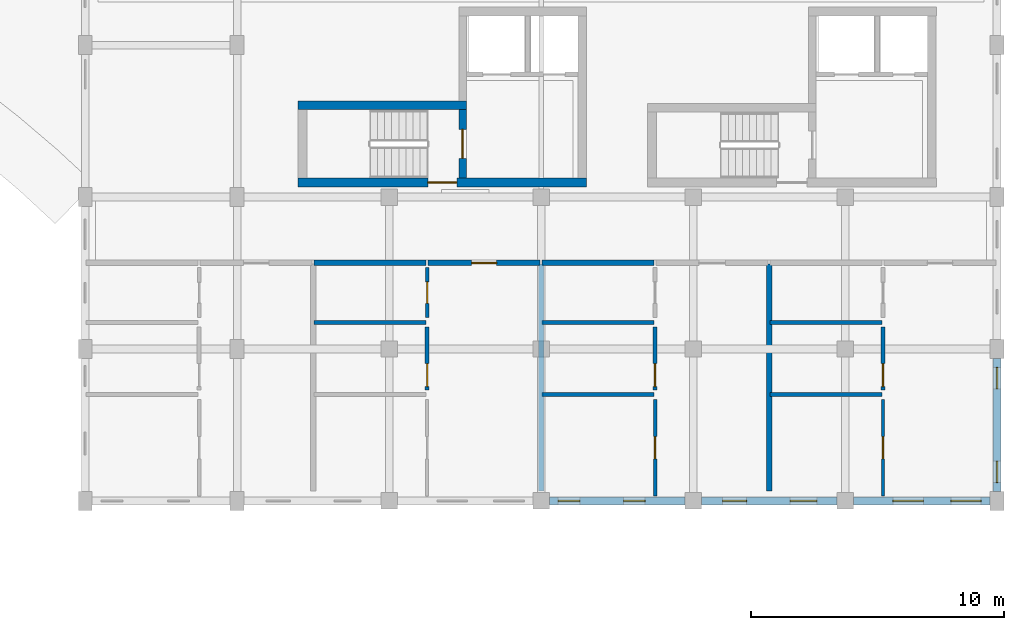
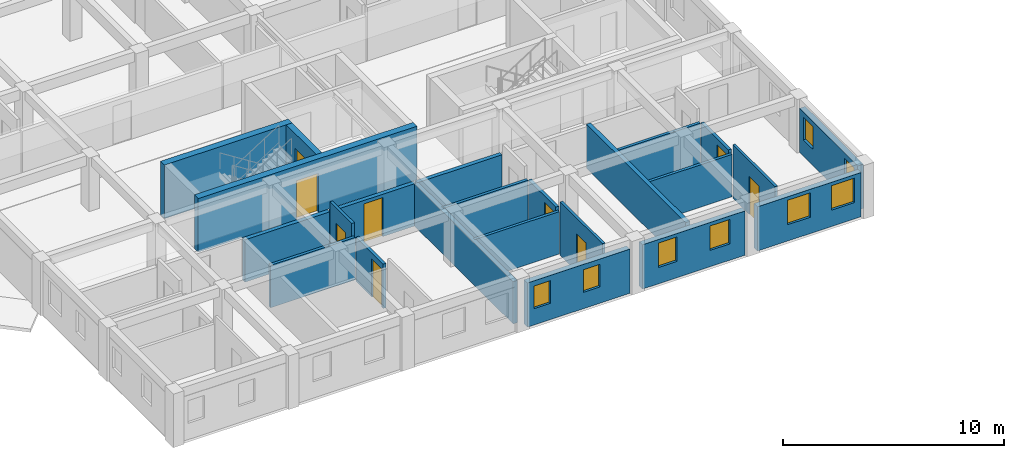
# One storey, part 98 of 123: 23 walls, 9 doors, 8 windows, 17 openings.
"""IFC4 building model written with IfcOpenShell, lengths in metres."""

from ifc_helpers import new_model, si_unit, direction, frame, frame_2d, origin, place, context, subcontext, project, spatial, rectangle, extrude, material, layer, layer_set, type_object, element, fill, save


model = new_model("IFC4")

# Units and contexts
model_context = context("Model", 3, precision=1e-05, world=origin(), true_north=direction((0.0, 1.0)))
body_context = subcontext(model_context, "Body", "Model", "MODEL_VIEW")
ifc_project = project(units=[si_unit("LENGTHUNIT", "METRE"), si_unit("AREAUNIT", "SQUARE_METRE"), si_unit("VOLUMEUNIT", "CUBIC_METRE"), si_unit("PLANEANGLEUNIT", "RADIAN"), si_unit("MASSUNIT", "GRAM", prefix="KILO"), si_unit("POWERUNIT", "WATT"), si_unit("THERMODYNAMICTEMPERATUREUNIT", "KELVIN")], contexts=[model_context])

# Site, building, storey
site_placement = place(None, origin())
site = spatial("IfcSite", under=ifc_project, at=site_placement, CompositionType="ELEMENT")
building_placement = place(site_placement, origin())
building = spatial("IfcBuilding", under=site, at=building_placement, Name="Ruvembo Vaulted Housing Court", CompositionType="ELEMENT")
storey_placement = place(building_placement, frame((0.0, 0.0, 7.699951171875)))
storey = spatial("IfcBuildingStorey", under=building, at=storey_placement, Name="L02", CompositionType="ELEMENT", Elevation=7.699951171875)

# Wall, opening, door
ifc_material_1 = material(Name="Concrete C35/45", Category="concrete")
ifc_layer_1 = layer(ifc_material_1, 0.300048828125, Name="Concrete C35/45")
ifc_layer_set_1 = layer_set([ifc_layer_1], Name="Concrete C35/45")
wall_type_1 = type_object("IfcWallType", Name="WL-CORE-300", PredefinedType="SHEAR", material=ifc_layer_set_1)
wall_1_placement = place(storey_placement, frame((164.89990234375, 84.75, 0.0), z_axis=(0.0, 0.0, 1.0), x_axis=(0.0, 1.0, 0.0)))
wall_1 = element("IfcWall", 1, at=wall_1_placement, inside=storey, type_object=wall_type_1, Name="Core D1 L02 Stair-Lobby Shear Wall", PredefinedType="SHEAR", context=body_context, shape_type="SweptSolid", body=[
    extrude(rectangle(XDim=2.699951171875, YDim=0.300048828125, at=frame_2d((1.35009765625, 0.0))), origin(), (0.0, 0.0, 1.0), 2.955078125),
])
opening_1_placement = place(wall_1_placement, frame((0.77490234375, 0.0, 0.0)))
opening_1 = element("IfcOpeningElement", 2, at=opening_1_placement, cuts=wall_1, Name="Opening SD1", PredefinedType="OPENING", context=body_context, shape_type="SweptSolid", body=[
    extrude(rectangle(XDim=1.14990234375, YDim=2.14990234375, at=frame_2d((0.574951171875, 1.074951171875))), frame((0.0, 0.159912109375, 0.0), z_axis=(0.0, -1.0, 0.0), x_axis=(1.0, 0.0, 0.0)), (0.0, 0.0, 1.0), 0.320068359375),
])
ifc_material_2 = material(Name="Galvanised Painted Steel", Category="steel")
door_type_1 = type_object("IfcDoorType", Name="DR-STAIR-1150x2150", OperationType="NOTDEFINED", PredefinedType="DOOR", material=ifc_material_2)
door_1_placement = place(opening_1_placement, origin())
door_1 = element("IfcDoor", 3, at=door_1_placement, inside=storey, type_object=door_type_1, Name="Stair ST-D1 L02 Fire Door", OperationType="SINGLE_SWING_LEFT", OverallHeight=2.14990234375, OverallWidth=1.14990234375, PredefinedType="DOOR", context=body_context, shape_type="SweptSolid", body=[
    extrude(rectangle(XDim=1.14990234375, YDim=2.14990234375, at=frame_2d((0.574951171875, 1.074951171875))), frame((0.0, 0.02490234375, 0.0), z_axis=(0.0, -1.0, 0.0), x_axis=(1.0, 0.0, 0.0)), (0.0, 0.0, 1.0), 0.050048828125),
])
fill(opening_1, door_1)

ifc_layer_2 = layer(ifc_material_1, 0.35009765625, Name="Concrete C35/45")
ifc_layer_set_2 = layer_set([ifc_layer_2], Name="Concrete C35/45")
wall_type_2 = type_object("IfcWallType", Name="WL-CORE-350", PredefinedType="SHEAR", material=ifc_layer_set_2)
wall_2_placement = place(storey_placement, frame((158.39990234375, 84.574951171875, 0.0), z_axis=(0.0, 0.0, 1.0), x_axis=(1.0, 0.0, 0.0)))
wall_2 = element("IfcWall", 4, at=wall_2_placement, inside=storey, type_object=wall_type_2, Name="Core D1 L02 South Shear Wall", PredefinedType="SHEAR", context=body_context, shape_type="SweptSolid", body=[
    extrude(rectangle(XDim=11.400146484375, YDim=0.35009765625, at=frame_2d((5.7001953125, 0.0))), origin(), (0.0, 0.0, 1.0), 2.955078125),
])
opening_2_placement = place(wall_2_placement, frame((5.125, 0.0, 0.0)))
opening_2 = element("IfcOpeningElement", 5, at=opening_2_placement, cuts=wall_2, Name="Opening LD0", PredefinedType="OPENING", context=body_context, shape_type="SweptSolid", body=[
    extrude(rectangle(XDim=1.14990234375, YDim=2.14990234375, at=frame_2d((0.574951171875, 1.074951171875))), frame((0.0, 0.18505859375, 0.0), z_axis=(0.0, -1.0, 0.0), x_axis=(1.0, 0.0, 0.0)), (0.0, 0.0, 1.0), 0.3701171875),
])
door_type_2 = type_object("IfcDoorType", Name="DR-LOB-1150x2150", OperationType="NOTDEFINED", PredefinedType="DOOR", material=ifc_material_2)
door_2_placement = place(opening_2_placement, origin())
door_2 = element("IfcDoor", 6, at=door_2_placement, inside=storey, type_object=door_type_2, Name="Core D1 L02 Lobby Fire Door", OperationType="SINGLE_SWING_RIGHT", OverallHeight=2.14990234375, OverallWidth=1.14990234375, PredefinedType="DOOR", context=body_context, shape_type="SweptSolid", body=[
    extrude(rectangle(XDim=1.14990234375, YDim=2.14990234375, at=frame_2d((0.574951171875, 1.074951171875))), frame((0.0, 0.02490234375, 0.0), z_axis=(0.0, -1.0, 0.0), x_axis=(1.0, 0.0, 0.0)), (0.0, 0.0, 1.0), 0.050048828125),
])
fill(opening_2, door_2)

# Walls
wall_3_placement = place(storey_placement, frame((165.050048828125, 87.625, 0.0), z_axis=(0.0, 0.0, 1.0), x_axis=(-1.0, 0.0, 0.0)))
element("IfcWall", 7, at=wall_3_placement, inside=storey, type_object=wall_type_2, Name="Core D1 L02 Stair North Shear Wall", PredefinedType="SHEAR", context=body_context, shape_type="SweptSolid", body=[
    extrude(rectangle(XDim=6.650146484375, YDim=0.35009765625, at=frame_2d((3.3251953125, 0.0))), origin(), (0.0, 0.0, 1.0), 2.955078125),
])
ifc_material_3 = material(Name="Concrete Blockwork 210", Category="masonry")
ifc_layer_3 = layer(ifc_material_3, 0.2099609375, Name="Concrete Blockwork 210")
ifc_layer_set_3 = layer_set([ifc_layer_3], Name="Concrete Blockwork 210")
wall_type_3 = type_object("IfcWallType", Name="WL-CORR-210", PredefinedType="SOLIDWALL", material=ifc_layer_set_3)
wall_4_placement = place(storey_placement, frame((159.0400390625, 81.39990234375, 0.0), z_axis=(0.0, 0.0, 1.0), x_axis=(1.0, 0.0, 0.0)))
element("IfcWall", 8, at=wall_4_placement, inside=storey, type_object=wall_type_3, Name="L02 Flat D-L02-S2 Corridor Wall WL-INT-L02-00641", PredefinedType="SOLIDWALL", context=body_context, shape_type="SweptSolid", body=[
    extrude(rectangle(XDim=4.419921875, YDim=0.2099609375, at=frame_2d((2.2099609375, 0.0))), origin(), (0.0, 0.0, 1.0), 2.337158203125),
])

# Wall, opening, door
wall_5_placement = place(storey_placement, frame((163.5400390625, 81.39990234375, 0.0), z_axis=(0.0, 0.0, 1.0), x_axis=(1.0, 0.0, 0.0)))
wall_5 = element("IfcWall", 9, at=wall_5_placement, inside=storey, type_object=wall_type_3, Name="L02 Flat D-L02-S2 Entrance WL-INT-L02-00642", PredefinedType="SOLIDWALL", context=body_context, shape_type="SweptSolid", body=[
    extrude(rectangle(XDim=4.419921875, YDim=0.2099609375, at=frame_2d((2.2099609375, 0.0))), origin(), (0.0, 0.0, 1.0), 2.337158203125),
])
opening_3_placement = place(wall_5_placement, frame((1.719970703125, 0.0, 0.0)))
opening_3 = element("IfcOpeningElement", 10, at=opening_3_placement, cuts=wall_5, Name="Opening FD2", PredefinedType="OPENING", context=body_context, shape_type="SweptSolid", body=[
    extrude(rectangle(XDim=0.97998046875, YDim=2.14990234375, at=frame_2d((0.489990234375, 1.074951171875))), frame((0.0, 0.114990234375, 0.0), z_axis=(0.0, -1.0, 0.0), x_axis=(1.0, 0.0, 0.0)), (0.0, 0.0, 1.0), 0.22998046875),
])
ifc_material_4 = material(Name="FSC Hardwood and Engineered Timber", Category="wood")
door_type_3 = type_object("IfcDoorType", Name="DR-FLAT-0980x2150", OperationType="NOTDEFINED", PredefinedType="DOOR", material=ifc_material_4)
door_3_placement = place(opening_3_placement, origin())
door_3 = element("IfcDoor", 11, at=door_3_placement, inside=storey, type_object=door_type_3, Name="L02 Flat D-L02-S2 Entrance Door DR-INT-L02-00346", OperationType="SINGLE_SWING_RIGHT", OverallHeight=2.14990234375, OverallWidth=0.97998046875, PredefinedType="DOOR", context=body_context, shape_type="SweptSolid", body=[
    extrude(rectangle(XDim=0.97998046875, YDim=2.14990234375, at=frame_2d((0.489990234375, 1.074951171875))), frame((0.0, 0.02490234375, 0.0), z_axis=(0.0, -1.0, 0.0), x_axis=(1.0, 0.0, 0.0)), (0.0, 0.0, 1.0), 0.050048828125),
])
fill(opening_3, door_3)

# Walls
wall_6_placement = place(storey_placement, frame((168.0400390625, 81.39990234375, 0.0), z_axis=(0.0, 0.0, 1.0), x_axis=(1.0, 0.0, 0.0)))
element("IfcWall", 12, at=wall_6_placement, inside=storey, type_object=wall_type_3, Name="L02 Flat D-L02-S3 Corridor Wall WL-INT-L02-00649", PredefinedType="SOLIDWALL", context=body_context, shape_type="SweptSolid", body=[
    extrude(rectangle(XDim=4.419921875, YDim=0.2099609375, at=frame_2d((2.2099609375, 0.0))), origin(), (0.0, 0.0, 1.0), 2.337158203125),
])
ifc_material_5 = material(Name="Acoustic Masonry Demising 220", Category="masonry")
ifc_layer_4 = layer(ifc_material_5, 0.219970703125, Name="Acoustic Masonry Demising 220")
ifc_layer_set_4 = layer_set([ifc_layer_4], Name="Acoustic Masonry Demising 220")
wall_type_4 = type_object("IfcWallType", Name="WL-DEM-200", PredefinedType="SOLIDWALL", material=ifc_layer_set_4)
wall_7_placement = place(storey_placement, frame((168.0, 72.389892578125, 0.0), z_axis=(0.0, 0.0, 1.0), x_axis=(0.0, 1.0, 0.0)))
element("IfcWall", 13, at=wall_7_placement, inside=storey, type_object=wall_type_4, Name="L02 Demising D-L02-S2 WL-INT-L02-00640", PredefinedType="SOLIDWALL", context=body_context, shape_type="SweptSolid", body=[
    extrude(rectangle(XDim=8.97021484375, YDim=0.219970703125, at=frame_2d((4.485107421875, 0.0))), origin(), (0.0, 0.0, 1.0), 2.337158203125),
])
wall_8_placement = place(storey_placement, frame((177.0, 72.389892578125, 0.0), z_axis=(0.0, 0.0, 1.0), x_axis=(0.0, 1.0, 0.0)))
element("IfcWall", 14, at=wall_8_placement, inside=storey, type_object=wall_type_4, Name="L02 Demising D-L02-S3 WL-INT-L02-00648", PredefinedType="SOLIDWALL", context=body_context, shape_type="SweptSolid", body=[
    extrude(rectangle(XDim=8.97021484375, YDim=0.219970703125, at=frame_2d((4.485107421875, 0.0))), origin(), (0.0, 0.0, 1.0), 2.43701171875),
])

# Wall, openings, windows
ifc_material_6 = material(Name="Rendered Masonry 300", Category="masonry")
ifc_layer_5 = layer(ifc_material_6, 0.300048828125, Name="Rendered Masonry 300")
ifc_layer_set_5 = layer_set([ifc_layer_5], Name="Rendered Masonry 300")
wall_type_5 = type_object("IfcWallType", Name="WL-EXT-300", PredefinedType="STANDARD", material=ifc_layer_set_5)
wall_9_placement = place(storey_placement, frame((168.324951171875, 72.0, 0.0), z_axis=(0.0, 0.0, 1.0), x_axis=(1.0, 0.0, 0.0)))
wall_9 = element("IfcWall", 15, at=wall_9_placement, inside=storey, type_object=wall_type_5, Name="Block D L02 Exterior Wall COURTYARD #4", PredefinedType="STANDARD", context=body_context, shape_type="SweptSolid", body=[
    extrude(rectangle(XDim=5.35009765625, YDim=0.300048828125, at=frame_2d((2.675048828125, 0.0))), origin(), (0.0, 0.0, 1.0), 2.43701171875),
])
opening_4_placement = place(wall_9_placement, frame((0.35009765625, 0.0, 0.89990234375)))
opening_4 = element("IfcOpeningElement", 16, at=opening_4_placement, cuts=wall_9, Name="Opening W03", PredefinedType="OPENING", context=body_context, shape_type="SweptSolid", body=[
    extrude(rectangle(XDim=0.85009765625, YDim=1.25, at=frame_2d((0.425048828125, 0.625))), frame((0.0, 0.159912109375, 0.0), z_axis=(0.0, -1.0, 0.0), x_axis=(1.0, 0.0, 0.0)), (0.0, 0.0, 1.0), 0.320068359375),
])
opening_5_placement = place(wall_9_placement, frame((2.93505859375, 0.0, 0.89990234375)))
opening_5 = element("IfcOpeningElement", 17, at=opening_5_placement, cuts=wall_9, Name="Opening W03", PredefinedType="OPENING", context=body_context, shape_type="SweptSolid", body=[
    extrude(rectangle(XDim=0.85009765625, YDim=1.25, at=frame_2d((0.425048828125, 0.625))), frame((0.0, 0.159912109375, 0.0), z_axis=(0.0, -1.0, 0.0), x_axis=(1.0, 0.0, 0.0)), (0.0, 0.0, 1.0), 0.320068359375),
])
ifc_material_7 = material(Name="Double Solar-Control Glazing in Aluminium Frame", Category="aluminium")
window_type_1 = type_object("IfcWindowType", Name="WIN-0850x1250", PartitioningType="SINGLE_PANEL", PredefinedType="WINDOW", material=ifc_material_7)
window_1_placement = place(opening_4_placement, origin())
window_1 = element("IfcWindow", 18, at=window_1_placement, inside=storey, type_object=window_type_1, Name="Block D L02 Window #1537", OverallHeight=1.25, OverallWidth=0.85009765625, PartitioningType="SINGLE_PANEL", PredefinedType="WINDOW", context=body_context, shape_type="SweptSolid", body=[
    extrude(rectangle(XDim=0.85009765625, YDim=1.25, at=frame_2d((0.425048828125, 0.625))), frame((0.0, 0.030029296875, 0.0), z_axis=(0.0, -1.0, 0.0), x_axis=(1.0, 0.0, 0.0)), (0.0, 0.0, 1.0), 0.06005859375),
])
fill(opening_4, window_1)
window_2_placement = place(opening_5_placement, origin())
window_2 = element("IfcWindow", 19, at=window_2_placement, inside=storey, type_object=window_type_1, Name="Block D L02 Window #1538", OverallHeight=1.25, OverallWidth=0.85009765625, PartitioningType="SINGLE_PANEL", PredefinedType="WINDOW", context=body_context, shape_type="SweptSolid", body=[
    extrude(rectangle(XDim=0.85009765625, YDim=1.25, at=frame_2d((0.425048828125, 0.625))), frame((0.0, 0.030029296875, 0.0), z_axis=(0.0, -1.0, 0.0), x_axis=(1.0, 0.0, 0.0)), (0.0, 0.0, 1.0), 0.06005859375),
])
fill(opening_5, window_2)

wall_10_placement = place(storey_placement, frame((174.324951171875, 72.0, 0.0), z_axis=(0.0, 0.0, 1.0), x_axis=(1.0, 0.0, 0.0)))
wall_10 = element("IfcWall", 20, at=wall_10_placement, inside=storey, type_object=wall_type_5, Name="Block D L02 Exterior Wall COURTYARD #5", PredefinedType="STANDARD", context=body_context, shape_type="SweptSolid", body=[
    extrude(rectangle(XDim=5.35009765625, YDim=0.300048828125, at=frame_2d((2.675048828125, 0.0))), origin(), (0.0, 0.0, 1.0), 2.43701171875),
])
opening_6_placement = place(wall_10_placement, frame((0.842529296875, 0.0, 0.89990234375)))
opening_6 = element("IfcOpeningElement", 21, at=opening_6_placement, cuts=wall_10, Name="Opening W07", PredefinedType="OPENING", context=body_context, shape_type="SweptSolid", body=[
    extrude(rectangle(XDim=0.949951171875, YDim=1.35009765625, at=frame_2d((0.47509765625, 0.675048828125))), frame((0.0, 0.159912109375, 0.0), z_axis=(0.0, -1.0, 0.0), x_axis=(1.0, 0.0, 0.0)), (0.0, 0.0, 1.0), 0.320068359375),
])
opening_7_placement = place(wall_10_placement, frame((3.507568359375, 0.0, 0.89990234375)))
opening_7 = element("IfcOpeningElement", 22, at=opening_7_placement, cuts=wall_10, Name="Opening W09", PredefinedType="OPENING", context=body_context, shape_type="SweptSolid", body=[
    extrude(rectangle(XDim=1.050048828125, YDim=1.35009765625, at=frame_2d((0.52490234375, 0.675048828125))), frame((0.0, 0.159912109375, 0.0), z_axis=(0.0, -1.0, 0.0), x_axis=(1.0, 0.0, 0.0)), (0.0, 0.0, 1.0), 0.320068359375),
])
window_type_2 = type_object("IfcWindowType", Name="WIN-0950x1350", PartitioningType="SINGLE_PANEL", PredefinedType="WINDOW", material=ifc_material_7)
window_3_placement = place(opening_6_placement, origin())
window_3 = element("IfcWindow", 23, at=window_3_placement, inside=storey, type_object=window_type_2, Name="Block D L02 Window #1539", OverallHeight=1.35009765625, OverallWidth=0.949951171875, PartitioningType="SINGLE_PANEL", PredefinedType="WINDOW", context=body_context, shape_type="SweptSolid", body=[
    extrude(rectangle(XDim=0.949951171875, YDim=1.35009765625, at=frame_2d((0.47509765625, 0.675048828125))), frame((0.0, 0.030029296875, 0.0), z_axis=(0.0, -1.0, 0.0), x_axis=(1.0, 0.0, 0.0)), (0.0, 0.0, 1.0), 0.06005859375),
])
fill(opening_6, window_3)
window_type_3 = type_object("IfcWindowType", Name="WIN-1050x1350", PartitioningType="SINGLE_PANEL", PredefinedType="WINDOW", material=ifc_material_7)
window_4_placement = place(opening_7_placement, origin())
window_4 = element("IfcWindow", 24, at=window_4_placement, inside=storey, type_object=window_type_3, Name="Block D L02 Window #1540", OverallHeight=1.35009765625, OverallWidth=1.050048828125, PartitioningType="SINGLE_PANEL", PredefinedType="WINDOW", context=body_context, shape_type="SweptSolid", body=[
    extrude(rectangle(XDim=1.050048828125, YDim=1.35009765625, at=frame_2d((0.52490234375, 0.675048828125))), frame((0.0, 0.030029296875, 0.0), z_axis=(0.0, -1.0, 0.0), x_axis=(1.0, 0.0, 0.0)), (0.0, 0.0, 1.0), 0.06005859375),
])
fill(opening_7, window_4)

wall_11_placement = place(storey_placement, frame((180.324951171875, 72.0, 0.0), z_axis=(0.0, 0.0, 1.0), x_axis=(1.0, 0.0, 0.0)))
wall_11 = element("IfcWall", 25, at=wall_11_placement, inside=storey, type_object=wall_type_5, Name="Block D L02 Exterior Wall COURTYARD #6", PredefinedType="STANDARD", context=body_context, shape_type="SweptSolid", body=[
    extrude(rectangle(XDim=5.400146484375, YDim=0.300048828125, at=frame_2d((2.7001953125, 0.0))), origin(), (0.0, 0.0, 1.0), 2.43701171875),
])
opening_8_placement = place(wall_11_placement, frame((1.56494140625, 0.0, 0.89990234375)))
opening_8 = element("IfcOpeningElement", 26, at=opening_8_placement, cuts=wall_11, Name="Opening W12", PredefinedType="OPENING", context=body_context, shape_type="SweptSolid", body=[
    extrude(rectangle(XDim=1.199951171875, YDim=1.35009765625, at=frame_2d((0.60009765625, 0.675048828125))), frame((0.0, 0.159912109375, 0.0), z_axis=(0.0, -1.0, 0.0), x_axis=(1.0, 0.0, 0.0)), (0.0, 0.0, 1.0), 0.320068359375),
])
opening_9_placement = place(wall_11_placement, frame((3.85009765625, 0.0, 0.89990234375)))
opening_9 = element("IfcOpeningElement", 27, at=opening_9_placement, cuts=wall_11, Name="Opening W12", PredefinedType="OPENING", context=body_context, shape_type="SweptSolid", body=[
    extrude(rectangle(XDim=1.199951171875, YDim=1.35009765625, at=frame_2d((0.60009765625, 0.675048828125))), frame((0.0, 0.159912109375, 0.0), z_axis=(0.0, -1.0, 0.0), x_axis=(1.0, 0.0, 0.0)), (0.0, 0.0, 1.0), 0.320068359375),
])
window_type_4 = type_object("IfcWindowType", Name="WIN-1200x1350", PartitioningType="SINGLE_PANEL", PredefinedType="WINDOW", material=ifc_material_7)
window_5_placement = place(opening_8_placement, origin())
window_5 = element("IfcWindow", 28, at=window_5_placement, inside=storey, type_object=window_type_4, Name="Block D L02 Window #1541", OverallHeight=1.35009765625, OverallWidth=1.199951171875, PartitioningType="SINGLE_PANEL", PredefinedType="WINDOW", context=body_context, shape_type="SweptSolid", body=[
    extrude(rectangle(XDim=1.199951171875, YDim=1.35009765625, at=frame_2d((0.60009765625, 0.675048828125))), frame((0.0, 0.030029296875, 0.0), z_axis=(0.0, -1.0, 0.0), x_axis=(1.0, 0.0, 0.0)), (0.0, 0.0, 1.0), 0.06005859375),
])
fill(opening_8, window_5)
window_6_placement = place(opening_9_placement, origin())
window_6 = element("IfcWindow", 29, at=window_6_placement, inside=storey, type_object=window_type_4, Name="Block D L02 Window #1542", OverallHeight=1.35009765625, OverallWidth=1.199951171875, PartitioningType="SINGLE_PANEL", PredefinedType="WINDOW", context=body_context, shape_type="SweptSolid", body=[
    extrude(rectangle(XDim=1.199951171875, YDim=1.35009765625, at=frame_2d((0.60009765625, 0.675048828125))), frame((0.0, 0.030029296875, 0.0), z_axis=(0.0, -1.0, 0.0), x_axis=(1.0, 0.0, 0.0)), (0.0, 0.0, 1.0), 0.06005859375),
])
fill(opening_9, window_6)

wall_12_placement = place(storey_placement, frame((186.0, 72.375, 0.0), z_axis=(0.0, 0.0, 1.0), x_axis=(0.0, 1.0, 0.0)))
wall_12 = element("IfcWall", 30, at=wall_12_placement, inside=storey, type_object=wall_type_5, Name="Block D L02 Exterior Wall EAST #1", PredefinedType="STANDARD", context=body_context, shape_type="SweptSolid", body=[
    extrude(rectangle(XDim=5.25, YDim=0.300048828125, at=frame_2d((2.625, 0.0))), origin(), (0.0, 0.0, 1.0), 2.43701171875),
])
opening_10_placement = place(wall_12_placement, frame((0.35009765625, 0.0, 0.89990234375)))
opening_10 = element("IfcOpeningElement", 31, at=opening_10_placement, cuts=wall_12, Name="Opening W03", PredefinedType="OPENING", context=body_context, shape_type="SweptSolid", body=[
    extrude(rectangle(XDim=0.85009765625, YDim=1.25, at=frame_2d((0.425048828125, 0.625))), frame((0.0, 0.159912109375, 0.0), z_axis=(0.0, -1.0, 0.0), x_axis=(1.0, 0.0, 0.0)), (0.0, 0.0, 1.0), 0.320068359375),
])
opening_11_placement = place(wall_12_placement, frame((4.050048828125, 0.0, 0.89990234375)))
opening_11 = element("IfcOpeningElement", 32, at=opening_11_placement, cuts=wall_12, Name="Opening W03", PredefinedType="OPENING", context=body_context, shape_type="SweptSolid", body=[
    extrude(rectangle(XDim=0.85009765625, YDim=1.25, at=frame_2d((0.425048828125, 0.625))), frame((0.0, 0.159912109375, 0.0), z_axis=(0.0, -1.0, 0.0), x_axis=(1.0, 0.0, 0.0)), (0.0, 0.0, 1.0), 0.320068359375),
])
window_7_placement = place(opening_10_placement, origin())
window_7 = element("IfcWindow", 33, at=window_7_placement, inside=storey, type_object=window_type_1, Name="Block D L02 Window #1543", OverallHeight=1.25, OverallWidth=0.85009765625, PartitioningType="SINGLE_PANEL", PredefinedType="WINDOW", context=body_context, shape_type="SweptSolid", body=[
    extrude(rectangle(XDim=0.85009765625, YDim=1.25, at=frame_2d((0.425048828125, 0.625))), frame((0.0, 0.030029296875, 0.0), z_axis=(0.0, -1.0, 0.0), x_axis=(1.0, 0.0, 0.0)), (0.0, 0.0, 1.0), 0.06005859375),
])
fill(opening_10, window_7)
window_8_placement = place(opening_11_placement, origin())
window_8 = element("IfcWindow", 34, at=window_8_placement, inside=storey, type_object=window_type_1, Name="Block D L02 Window #1544", OverallHeight=1.25, OverallWidth=0.85009765625, PartitioningType="SINGLE_PANEL", PredefinedType="WINDOW", context=body_context, shape_type="SweptSolid", body=[
    extrude(rectangle(XDim=0.85009765625, YDim=1.25, at=frame_2d((0.425048828125, 0.625))), frame((0.0, 0.030029296875, 0.0), z_axis=(0.0, -1.0, 0.0), x_axis=(1.0, 0.0, 0.0)), (0.0, 0.0, 1.0), 0.06005859375),
])
fill(opening_11, window_8)

# Wall, opening, door
ifc_material_8 = material(Name="Plasterboard Stud Partition 125", Category="gypsum")
ifc_layer_6 = layer(ifc_material_8, 0.125, Name="Plasterboard Stud Partition 125")
ifc_layer_set_6 = layer_set([ifc_layer_6], Name="Plasterboard Stud Partition 125")
wall_type_6 = type_object("IfcWallType", Name="WL-PART-125", PredefinedType="PARTITIONING", material=ifc_layer_set_6)
wall_13_placement = place(storey_placement, frame((181.5, 72.18994140625, 0.0), z_axis=(0.0, 0.0, 1.0), x_axis=(0.0, 1.0, 0.0)))
wall_13 = element("IfcWall", 35, at=wall_13_placement, inside=storey, type_object=wall_type_6, Name="L02 Flat D-L02-S4 Bedroom 1 WL-INT-L02-00658", PredefinedType="PARTITIONING", context=body_context, shape_type="SweptSolid", body=[
    extrude(rectangle(XDim=3.820068359375, YDim=0.125, at=frame_2d((1.91015625, 0.0))), origin(), (0.0, 0.0, 1.0), 2.955078125),
])
opening_12_placement = place(wall_13_placement, frame((1.469970703125, 0.0, 0.0)))
opening_12 = element("IfcOpeningElement", 36, at=opening_12_placement, cuts=wall_13, Name="Opening ID3", PredefinedType="OPENING", context=body_context, shape_type="SweptSolid", body=[
    extrude(rectangle(XDim=0.8798828125, YDim=2.10009765625, at=frame_2d((0.43994140625, 1.050048828125))), frame((0.0, 0.072509765625, 0.0), z_axis=(0.0, -1.0, 0.0), x_axis=(1.0, 0.0, 0.0)), (0.0, 0.0, 1.0), 0.14501953125),
])
door_type_4 = type_object("IfcDoorType", Name="DR-ROOM-0880x2100", OperationType="NOTDEFINED", PredefinedType="DOOR", material=ifc_material_4)
door_4_placement = place(opening_12_placement, origin())
door_4 = element("IfcDoor", 37, at=door_4_placement, inside=storey, type_object=door_type_4, Name="L02 Flat D-L02-S4 Bedroom 1 Door DR-INT-L02-00355", OperationType="SINGLE_SWING_LEFT", OverallHeight=2.10009765625, OverallWidth=0.8798828125, PredefinedType="DOOR", context=body_context, shape_type="SweptSolid", body=[
    extrude(rectangle(XDim=0.8798828125, YDim=2.10009765625, at=frame_2d((0.43994140625, 1.050048828125))), frame((0.0, 0.02490234375, 0.0), z_axis=(0.0, -1.0, 0.0), x_axis=(1.0, 0.0, 0.0)), (0.0, 0.0, 1.0), 0.050048828125),
])
fill(opening_12, door_4)

ifc_material_9 = material(Name="Acoustic Stud Partition 135", Category="gypsum")
ifc_layer_7 = layer(ifc_material_9, 0.135009765625, Name="Acoustic Stud Partition 135")
ifc_layer_set_7 = layer_set([ifc_layer_7], Name="Acoustic Stud Partition 135")
wall_type_7 = type_object("IfcWallType", Name="WL-PART-135", PredefinedType="PARTITIONING", material=ifc_layer_set_7)
wall_14_placement = place(storey_placement, frame((172.5, 72.18994140625, 0.0), z_axis=(0.0, 0.0, 1.0), x_axis=(0.0, 1.0, 0.0)))
wall_14 = element("IfcWall", 38, at=wall_14_placement, inside=storey, type_object=wall_type_7, Name="L02 Flat D-L02-S3 Bedroom 1 WL-INT-L02-00651", PredefinedType="PARTITIONING", context=body_context, shape_type="SweptSolid", body=[
    extrude(rectangle(XDim=3.820068359375, YDim=0.135009765625, at=frame_2d((1.91015625, 0.0))), origin(), (0.0, 0.0, 1.0), 2.955078125),
])
opening_13_placement = place(wall_14_placement, frame((1.469970703125, 0.0, 0.0)))
opening_13 = element("IfcOpeningElement", 39, at=opening_13_placement, cuts=wall_14, Name="Opening ID3", PredefinedType="OPENING", context=body_context, shape_type="SweptSolid", body=[
    extrude(rectangle(XDim=0.8798828125, YDim=2.10009765625, at=frame_2d((0.43994140625, 1.050048828125))), frame((0.0, 0.077392578125, 0.0), z_axis=(0.0, -1.0, 0.0), x_axis=(1.0, 0.0, 0.0)), (0.0, 0.0, 1.0), 0.155029296875),
])
door_5_placement = place(opening_13_placement, origin())
door_5 = element("IfcDoor", 40, at=door_5_placement, inside=storey, type_object=door_type_4, Name="L02 Flat D-L02-S3 Bedroom 1 Door DR-INT-L02-00351", OperationType="SINGLE_SWING_LEFT", OverallHeight=2.10009765625, OverallWidth=0.8798828125, PredefinedType="DOOR", context=body_context, shape_type="SweptSolid", body=[
    extrude(rectangle(XDim=0.8798828125, YDim=2.10009765625, at=frame_2d((0.43994140625, 1.050048828125))), frame((0.0, 0.02490234375, 0.0), z_axis=(0.0, -1.0, 0.0), x_axis=(1.0, 0.0, 0.0)), (0.0, 0.0, 1.0), 0.050048828125),
])
fill(opening_13, door_5)

ifc_material_10 = material(Name="Moisture-Resistant Wet Partition 150", Category="gypsum")
ifc_layer_8 = layer(ifc_material_10, 0.14990234375, Name="Moisture-Resistant Wet Partition 150")
ifc_layer_set_8 = layer_set([ifc_layer_8], Name="Moisture-Resistant Wet Partition 150")
wall_type_8 = type_object("IfcWallType", Name="WL-PART-150", PredefinedType="PARTITIONING", material=ifc_layer_set_8)
wall_15_placement = place(storey_placement, frame((163.5, 79.239990234375, 0.0), z_axis=(0.0, 0.0, 1.0), x_axis=(0.0, 1.0, 0.0)))
wall_15 = element("IfcWall", 41, at=wall_15_placement, inside=storey, type_object=wall_type_8, Name="L02 Flat D-L02-S2 Bathroom WL-INT-L02-00645", PredefinedType="PARTITIONING", context=body_context, shape_type="SweptSolid", body=[
    extrude(rectangle(XDim=1.969970703125, YDim=0.14990234375, at=frame_2d((0.98486328125, 0.0))), origin(), (0.0, 0.0, 1.0), 2.955078125),
])
opening_14_placement = place(wall_15_placement, frame((0.56005859375, 0.0, 0.0)))
opening_14 = element("IfcOpeningElement", 42, at=opening_14_placement, cuts=wall_15, Name="Opening ID2", PredefinedType="OPENING", context=body_context, shape_type="SweptSolid", body=[
    extrude(rectangle(XDim=0.85009765625, YDim=2.10009765625, at=frame_2d((0.425048828125, 1.050048828125))), frame((0.0, 0.0849609375, 0.0), z_axis=(0.0, -1.0, 0.0), x_axis=(1.0, 0.0, 0.0)), (0.0, 0.0, 1.0), 0.169921875),
])
door_type_5 = type_object("IfcDoorType", Name="DR-WET-0850x2100", OperationType="NOTDEFINED", PredefinedType="DOOR", material=ifc_material_4)
door_6_placement = place(opening_14_placement, origin())
door_6 = element("IfcDoor", 43, at=door_6_placement, inside=storey, type_object=door_type_5, Name="L02 Flat D-L02-S2 Bathroom Door DR-INT-L02-00349", OperationType="SINGLE_SWING_LEFT", OverallHeight=2.10009765625, OverallWidth=0.85009765625, PredefinedType="DOOR", context=body_context, shape_type="SweptSolid", body=[
    extrude(rectangle(XDim=0.85009765625, YDim=2.10009765625, at=frame_2d((0.425048828125, 1.050048828125))), frame((0.0, 0.02490234375, 0.0), z_axis=(0.0, -1.0, 0.0), x_axis=(1.0, 0.0, 0.0)), (0.0, 0.0, 1.0), 0.050048828125),
])
fill(opening_14, door_6)

# Walls
for number, where, z_axis, x_axis, name in (
    (44, (159.0400390625, 79.050048828125, 0.0), (0.0, 0.0, 1.0), (1.0, 0.0, 0.0), "L02 Flat D-L02-S2 Wet Wall 2 WL-INT-L02-00647"),
    (45, (168.0400390625, 76.199951171875, 0.0), (0.0, 0.0, 1.0), (1.0, 0.0, 0.0), "L02 Flat D-L02-S3 Wet Wall 1 WL-INT-L02-00654"),
    (46, (168.0400390625, 79.050048828125, 0.0), (0.0, 0.0, 1.0), (1.0, 0.0, 0.0), "L02 Flat D-L02-S3 Wet Wall 2 WL-INT-L02-00655"),
    (47, (177.0400390625, 76.199951171875, 0.0), (0.0, 0.0, 1.0), (1.0, 0.0, 0.0), "L02 Flat D-L02-S4 Wet Wall 1 WL-INT-L02-00661"),
    (48, (177.0400390625, 79.050048828125, 0.0), (0.0, 0.0, 1.0), (1.0, 0.0, 0.0), "L02 Flat D-L02-S4 Wet Wall 2 WL-INT-L02-00662"),
):
    element("IfcWall", number, at=place(storey_placement, frame(where, z_axis=z_axis, x_axis=x_axis)), inside=storey, type_object=wall_type_8, Name=name, PredefinedType="PARTITIONING", context=body_context, shape_type="SweptSolid", body=[
        extrude(rectangle(XDim=4.419921875, YDim=0.14990234375, at=frame_2d((2.2099609375, 0.0))), origin(), (0.0, 0.0, 1.0), 2.337158203125),
    ])

# Wall, opening, door
ifc_material_11 = material(Name="Acoustic Service Chase Wall 160", Category="gypsum")
ifc_layer_9 = layer(ifc_material_11, 0.159912109375, Name="Acoustic Service Chase Wall 160")
ifc_layer_set_9 = layer_set([ifc_layer_9], Name="Acoustic Service Chase Wall 160")
wall_type_9 = type_object("IfcWallType", Name="WL-PLUMB-160", PredefinedType="PLUMBINGWALL", material=ifc_layer_set_9)
wall_16_placement = place(storey_placement, frame((163.5, 76.389892578125, 0.0), z_axis=(0.0, 0.0, 1.0), x_axis=(0.0, 1.0, 0.0)))
wall_16 = element("IfcWall", 49, at=wall_16_placement, inside=storey, type_object=wall_type_9, Name="L02 Flat D-L02-S2 Kitchen WL-INT-L02-00644", PredefinedType="PLUMBINGWALL", context=body_context, shape_type="SweptSolid", body=[
    extrude(rectangle(XDim=2.47021484375, YDim=0.159912109375, at=frame_2d((1.235107421875, 0.0))), origin(), (0.0, 0.0, 1.0), 2.43701171875),
])
opening_15_placement = place(wall_16_placement, frame((0.1298828125, 0.0, 0.0)))
opening_15 = element("IfcOpeningElement", 50, at=opening_15_placement, cuts=wall_16, Name="Opening ID1", PredefinedType="OPENING", context=body_context, shape_type="SweptSolid", body=[
    extrude(rectangle(XDim=0.89990234375, YDim=2.10009765625, at=frame_2d((0.449951171875, 1.050048828125))), frame((0.0, 0.08984375, 0.0), z_axis=(0.0, -1.0, 0.0), x_axis=(1.0, 0.0, 0.0)), (0.0, 0.0, 1.0), 0.179931640625),
])
door_type_6 = type_object("IfcDoorType", Name="DR-ROOM-0900x2100", OperationType="NOTDEFINED", PredefinedType="DOOR", material=ifc_material_4)
door_7_placement = place(opening_15_placement, origin())
door_7 = element("IfcDoor", 51, at=door_7_placement, inside=storey, type_object=door_type_6, Name="L02 Flat D-L02-S2 Kitchen Door DR-INT-L02-00348", OperationType="SINGLE_SWING_RIGHT", OverallHeight=2.10009765625, OverallWidth=0.89990234375, PredefinedType="DOOR", context=body_context, shape_type="SweptSolid", body=[
    extrude(rectangle(XDim=0.89990234375, YDim=2.10009765625, at=frame_2d((0.449951171875, 1.050048828125))), frame((0.0, 0.02490234375, 0.0), z_axis=(0.0, -1.0, 0.0), x_axis=(1.0, 0.0, 0.0)), (0.0, 0.0, 1.0), 0.050048828125),
])
fill(opening_15, door_7)

wall_17_placement = place(storey_placement, frame((172.5, 76.389892578125, 0.0), z_axis=(0.0, 0.0, 1.0), x_axis=(0.0, 1.0, 0.0)))
wall_17 = element("IfcWall", 52, at=wall_17_placement, inside=storey, type_object=wall_type_9, Name="L02 Flat D-L02-S3 Kitchen WL-INT-L02-00652", PredefinedType="PLUMBINGWALL", context=body_context, shape_type="SweptSolid", body=[
    extrude(rectangle(XDim=2.47021484375, YDim=0.159912109375, at=frame_2d((1.235107421875, 0.0))), origin(), (0.0, 0.0, 1.0), 2.43701171875),
])
opening_16_placement = place(wall_17_placement, frame((0.1298828125, 0.0, 0.0)))
opening_16 = element("IfcOpeningElement", 53, at=opening_16_placement, cuts=wall_17, Name="Opening ID1", PredefinedType="OPENING", context=body_context, shape_type="SweptSolid", body=[
    extrude(rectangle(XDim=0.89990234375, YDim=2.10009765625, at=frame_2d((0.449951171875, 1.050048828125))), frame((0.0, 0.08984375, 0.0), z_axis=(0.0, -1.0, 0.0), x_axis=(1.0, 0.0, 0.0)), (0.0, 0.0, 1.0), 0.179931640625),
])
door_8_placement = place(opening_16_placement, origin())
door_8 = element("IfcDoor", 54, at=door_8_placement, inside=storey, type_object=door_type_6, Name="L02 Flat D-L02-S3 Kitchen Door DR-INT-L02-00352", OperationType="SINGLE_SWING_RIGHT", OverallHeight=2.10009765625, OverallWidth=0.89990234375, PredefinedType="DOOR", context=body_context, shape_type="SweptSolid", body=[
    extrude(rectangle(XDim=0.89990234375, YDim=2.10009765625, at=frame_2d((0.449951171875, 1.050048828125))), frame((0.0, 0.02490234375, 0.0), z_axis=(0.0, -1.0, 0.0), x_axis=(1.0, 0.0, 0.0)), (0.0, 0.0, 1.0), 0.050048828125),
])
fill(opening_16, door_8)

wall_18_placement = place(storey_placement, frame((181.5, 76.389892578125, 0.0), z_axis=(0.0, 0.0, 1.0), x_axis=(0.0, 1.0, 0.0)))
wall_18 = element("IfcWall", 55, at=wall_18_placement, inside=storey, type_object=wall_type_9, Name="L02 Flat D-L02-S4 Kitchen WL-INT-L02-00659", PredefinedType="PLUMBINGWALL", context=body_context, shape_type="SweptSolid", body=[
    extrude(rectangle(XDim=2.47021484375, YDim=0.159912109375, at=frame_2d((1.235107421875, 0.0))), origin(), (0.0, 0.0, 1.0), 2.43701171875),
])
opening_17_placement = place(wall_18_placement, frame((0.1298828125, 0.0, 0.0)))
opening_17 = element("IfcOpeningElement", 56, at=opening_17_placement, cuts=wall_18, Name="Opening ID1", PredefinedType="OPENING", context=body_context, shape_type="SweptSolid", body=[
    extrude(rectangle(XDim=0.89990234375, YDim=2.10009765625, at=frame_2d((0.449951171875, 1.050048828125))), frame((0.0, 0.08984375, 0.0), z_axis=(0.0, -1.0, 0.0), x_axis=(1.0, 0.0, 0.0)), (0.0, 0.0, 1.0), 0.179931640625),
])
door_9_placement = place(opening_17_placement, origin())
door_9 = element("IfcDoor", 57, at=door_9_placement, inside=storey, type_object=door_type_6, Name="L02 Flat D-L02-S4 Kitchen Door DR-INT-L02-00356", OperationType="SINGLE_SWING_RIGHT", OverallHeight=2.10009765625, OverallWidth=0.89990234375, PredefinedType="DOOR", context=body_context, shape_type="SweptSolid", body=[
    extrude(rectangle(XDim=0.89990234375, YDim=2.10009765625, at=frame_2d((0.449951171875, 1.050048828125))), frame((0.0, 0.02490234375, 0.0), z_axis=(0.0, -1.0, 0.0), x_axis=(1.0, 0.0, 0.0)), (0.0, 0.0, 1.0), 0.050048828125),
])
fill(opening_17, door_9)

save(model, "model.ifc")
